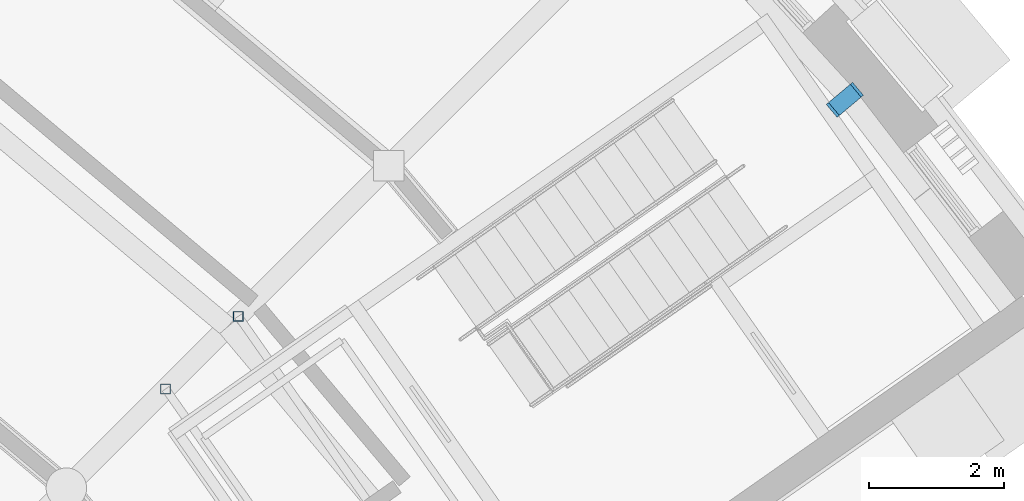
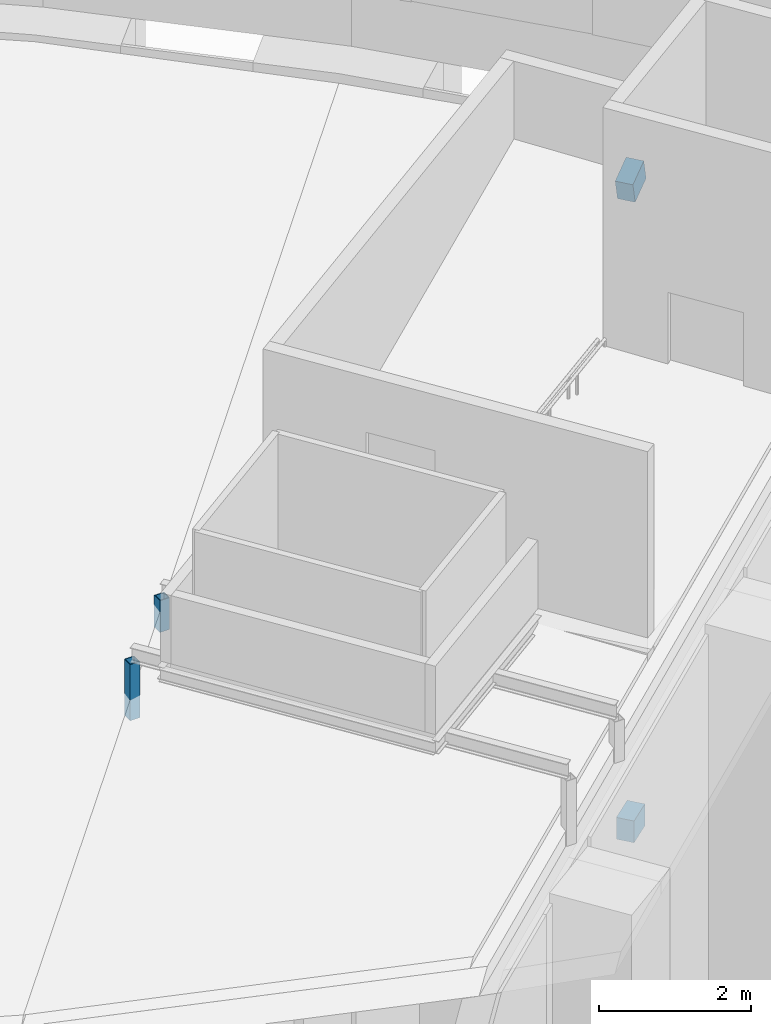
# One storey, part 37 of 82: 2 beams, 2 members.
"""IFC4 building model written with IfcOpenShell, lengths in metres."""

from ifc_helpers import new_model, si_unit, direction, frame, origin, origin_2d, place, context, subcontext, project, spatial, rectangle, hollow_rectangle, extrude, material, material_profile, profile_set, type_object, element, save


model = new_model("IFC4")

# Units and contexts
model_context = context("Model", 3, precision=1e-05, world=origin(), true_north=direction((0.0, 1.0)))
body_context = subcontext(model_context, "Body", "Model", "MODEL_VIEW")
ifc_project = project(units=[si_unit("LENGTHUNIT", "METRE"), si_unit("AREAUNIT", "SQUARE_METRE"), si_unit("VOLUMEUNIT", "CUBIC_METRE"), si_unit("PLANEANGLEUNIT", "RADIAN"), si_unit("MASSUNIT", "GRAM", prefix="KILO")], contexts=[model_context])

# Site, building, storey
site_placement = place(None, origin())
site = spatial("IfcSite", under=ifc_project, at=site_placement, CompositionType="ELEMENT")
building_placement = place(site_placement, origin())
building = spatial("IfcBuilding", under=site, at=building_placement, Name="Volute Hill Aquarium", CompositionType="ELEMENT")
storey_placement = place(building_placement, frame((0.0, 0.0, 13.800048828125)))
storey = spatial("IfcBuildingStorey", under=building, at=storey_placement, Name="L04", CompositionType="ELEMENT", Elevation=13.800048828125)

# Beams
ifc_material_1 = material(Name="Concrete C35/45", Category="concrete")
ifc_material_profile_1 = material_profile(ifc_material_1, rectangle(XDim=0.25, YDim=0.35009765625, at=origin_2d()), Name="RC joist 250x350")
ifc_profile_set_1 = profile_set([ifc_material_profile_1], Name="Concrete C35/45")
beam_type = type_object("IfcBeamType", Name="Joist 250x350 C35/45", PredefinedType="BEAM", material=ifc_profile_set_1)
beam_1_placement = place(storey_placement, frame((35.795654296875, 30.035888671875, -0.465087890625), z_axis=(0.765750437308, 0.643137829522, 0.0), x_axis=(-0.643137829522, 0.765750437308, 0.0)))
element("IfcBeam", 1, at=beam_1_placement, inside=storey, type_object=beam_type, Name="bm/S5/L04/rjst1", PredefinedType="BEAM", context=body_context, shape_type="SweptSolid", body=[
    extrude(rectangle(XDim=0.25, YDim=0.35009765625, at=origin_2d()), origin(), (0.0, 0.0, 1.0), 0.422119140625),
])
beam_2_placement = place(storey_placement, frame((35.795654296875, 30.035888671875, 9.821044921875), z_axis=(0.741479473859, 0.622753153271, 0.249773297085), x_axis=(-0.643137829522, 0.765750437308, 0.0)))
element("IfcBeam", 2, at=beam_2_placement, inside=storey, type_object=beam_type, Name="rb/S5/L04/rjst1", PredefinedType="BEAM", context=body_context, shape_type="SweptSolid", body=[
    extrude(rectangle(XDim=0.25, YDim=0.35009765625, at=origin_2d()), origin(), (0.0, 0.0, 1.0), 0.43603515625),
])

# Members
ifc_material_2 = material(Name="Steel S355", Category="steel")
ifc_material_profile_2 = material_profile(ifc_material_2, hollow_rectangle(XDim=0.14990234375, YDim=0.14990234375, WallThickness=0.010009765625, at=origin_2d()), Name="RHS 150x150x10")
ifc_profile_set_2 = profile_set([ifc_material_profile_2], Name="Steel S355")
member_type = type_object("IfcMemberType", Name="Plant platform post RHS 150x150x10 S355", PredefinedType="POST", material=ifc_profile_set_2)
member_1_placement = place(storey_placement, frame((25.884521484375, 25.884521484375, 7.353759765625), z_axis=(0.0, 0.0, 1.0), x_axis=(1.0, 0.0, 0.0)))
element("IfcMember", 3, at=member_1_placement, inside=storey, type_object=member_type, Name="pf/S5/L04/post12", PredefinedType="POST", context=body_context, shape_type="SweptSolid", body=[
    extrude(hollow_rectangle(XDim=0.14990234375, YDim=0.14990234375, WallThickness=0.010009765625, at=origin_2d()), origin(), (0.0, 0.0, 1.0), 0.90625),
])
member_2_placement = place(storey_placement, frame((26.96142578125, 26.96142578125, 7.745361328125), z_axis=(0.0, 0.0, 1.0), x_axis=(1.0, 0.0, 0.0)))
element("IfcMember", 4, at=member_2_placement, inside=storey, type_object=member_type, Name="pf/S5/L04/post22", PredefinedType="POST", context=body_context, shape_type="SweptSolid", body=[
    extrude(hollow_rectangle(XDim=0.14990234375, YDim=0.14990234375, WallThickness=0.010009765625, at=origin_2d()), origin(), (0.0, 0.0, 1.0), 0.5146484375),
])

save(model, "model.ifc")
